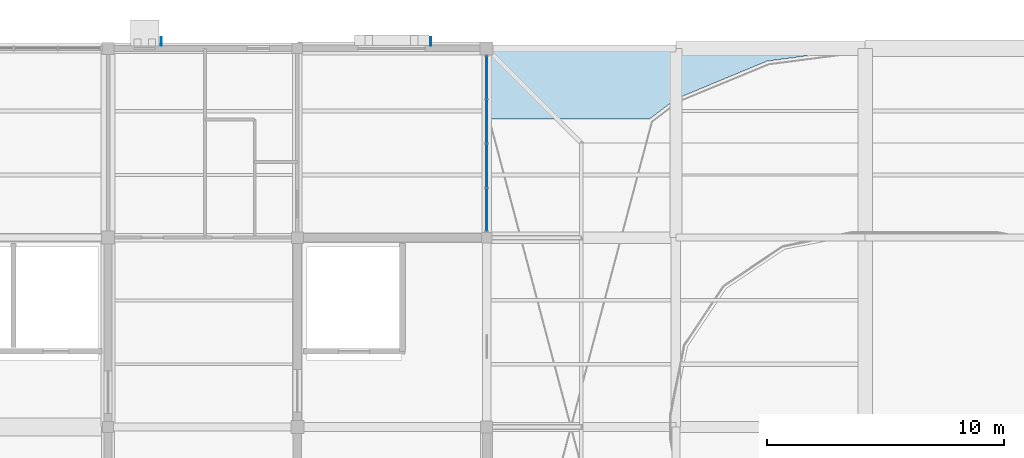
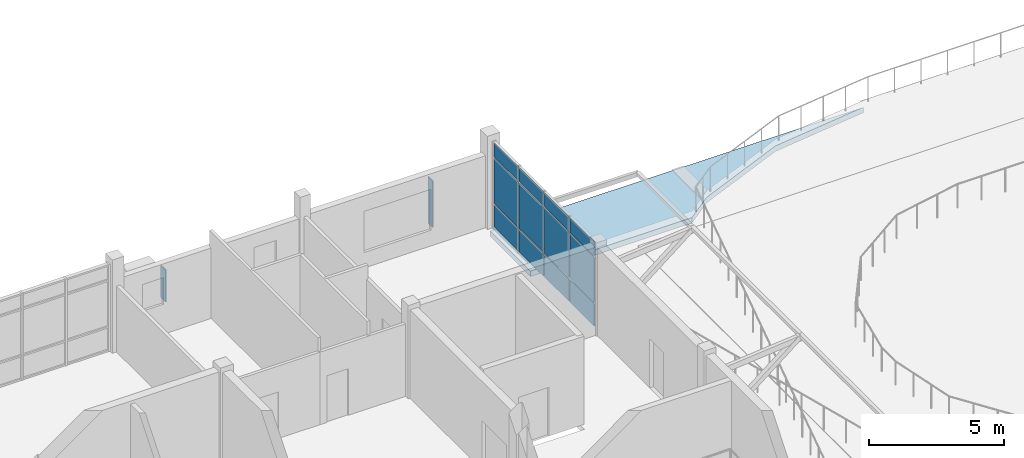
# One storey, part 37 of 44: 14 plates, 1 slab, 1 element without a shape of its own.
"""IFC4 building model written with IfcOpenShell, lengths in metres."""

from ifc_helpers import new_model, si_unit, direction, frame, origin, origin_2d, place, context, subcontext, project, spatial, polyline, rectangle, outline, extrude, material, layer, layer_set, type_object, element, aggregate, save


model = new_model("IFC4")

# Units and contexts
model_context = context("Model", 3, precision=1e-05, world=origin(), true_north=direction((0.0, 1.0)))
body_context = subcontext(model_context, "Body", "Model", "MODEL_VIEW")
ifc_project = project(units=[si_unit("LENGTHUNIT", "METRE"), si_unit("AREAUNIT", "SQUARE_METRE"), si_unit("VOLUMEUNIT", "CUBIC_METRE"), si_unit("PLANEANGLEUNIT", "RADIAN"), si_unit("MASSUNIT", "GRAM", prefix="KILO")], contexts=[model_context])

# Site, building, storey
site_placement = place(None, origin())
site = spatial("IfcSite", under=ifc_project, at=site_placement, CompositionType="ELEMENT")
building_placement = place(site_placement, origin())
building = spatial("IfcBuilding", under=site, at=building_placement, Name="Tenunan Teduh Sports Hall", CompositionType="ELEMENT")
storey_placement = place(building_placement, frame((0.0, 0.0, 19.199951171875)))
storey = spatial("IfcBuildingStorey", under=building, at=storey_placement, Name="L04", CompositionType="ELEMENT", Elevation=19.199951171875)

# Curtain wall, plates
ifc_material_1 = material(Name="Anodised aluminium", Category="aluminium")
curtain_wall_type = type_object("IfcCurtainWallType", Name="CW-UNIT-2", PredefinedType="NOTDEFINED", material=ifc_material_1)
curtain_wall_placement = place(storey_placement, origin())
curtain_wall = element("IfcCurtainWall", 1, at=curtain_wall_placement, inside=storey, type_object=curtain_wall_type, Name="CW-CWM-150-L04-231", PredefinedType="NOTDEFINED")
ifc_material_2 = material(Name="Solar-control laminated glazing", Category="glass")
ifc_layer_1 = layer(ifc_material_2, 0.031982421875)
ifc_layer_set_1 = layer_set([ifc_layer_1], Name="Solar-control laminated glazing")
plate_type_1 = type_object("IfcPlateType", Name="CWP-GLZ-32", PredefinedType="CURTAIN_PANEL", material=ifc_layer_set_1)
plate_1_placement = place(storey_placement, frame((38.0, 111.177490234375, 1.130126953125), z_axis=(0.0, 0.0, 1.0), x_axis=(0.0, 1.0, 0.0)))
plate_1 = element("IfcPlate", 2, at=plate_1_placement, type_object=plate_type_1, Name="CW-02 panel 1.2", PredefinedType="CURTAIN_PANEL", context=body_context, shape_type="SweptSolid", body=[
    extrude(rectangle(XDim=1.784912109375, YDim=0.031982421875, at=origin_2d()), origin(), (0.0, 0.0, 1.0), 2.0400390625),
])
plate_2_placement = place(storey_placement, frame((38.0, 111.177490234375, 3.230224609375), z_axis=(0.0, 0.0, 1.0), x_axis=(0.0, 1.0, 0.0)))
plate_2 = element("IfcPlate", 3, at=plate_2_placement, type_object=plate_type_1, Name="CW-02 panel 1.3", PredefinedType="CURTAIN_PANEL", context=body_context, shape_type="SweptSolid", body=[
    extrude(rectangle(XDim=1.784912109375, YDim=0.031982421875, at=origin_2d()), origin(), (0.0, 0.0, 1.0), 0.6298828125),
])
plate_3_placement = place(storey_placement, frame((38.0, 113.03759765625, 1.130126953125), z_axis=(0.0, 0.0, 1.0), x_axis=(0.0, 1.0, 0.0)))
plate_3 = element("IfcPlate", 4, at=plate_3_placement, type_object=plate_type_1, Name="CW-02 panel 2.2", PredefinedType="CURTAIN_PANEL", context=body_context, shape_type="SweptSolid", body=[
    extrude(rectangle(XDim=1.81494140625, YDim=0.031982421875, at=origin_2d()), origin(), (0.0, 0.0, 1.0), 2.0400390625),
])
plate_4_placement = place(storey_placement, frame((38.0, 113.03759765625, 3.230224609375), z_axis=(0.0, 0.0, 1.0), x_axis=(0.0, 1.0, 0.0)))
plate_4 = element("IfcPlate", 5, at=plate_4_placement, type_object=plate_type_1, Name="CW-02 panel 2.3", PredefinedType="CURTAIN_PANEL", context=body_context, shape_type="SweptSolid", body=[
    extrude(rectangle(XDim=1.81494140625, YDim=0.031982421875, at=origin_2d()), origin(), (0.0, 0.0, 1.0), 0.6298828125),
])
plate_5_placement = place(storey_placement, frame((38.0, 114.91259765625, 1.130126953125), z_axis=(0.0, 0.0, 1.0), x_axis=(0.0, 1.0, 0.0)))
plate_5 = element("IfcPlate", 6, at=plate_5_placement, type_object=plate_type_1, Name="CW-02 panel 3.2", PredefinedType="CURTAIN_PANEL", context=body_context, shape_type="SweptSolid", body=[
    extrude(rectangle(XDim=1.81494140625, YDim=0.031982421875, at=origin_2d()), origin(), (0.0, 0.0, 1.0), 2.0400390625),
])
plate_6_placement = place(storey_placement, frame((38.0, 114.91259765625, 3.230224609375), z_axis=(0.0, 0.0, 1.0), x_axis=(0.0, 1.0, 0.0)))
plate_6 = element("IfcPlate", 7, at=plate_6_placement, type_object=plate_type_1, Name="CW-02 panel 3.3", PredefinedType="CURTAIN_PANEL", context=body_context, shape_type="SweptSolid", body=[
    extrude(rectangle(XDim=1.81494140625, YDim=0.031982421875, at=origin_2d()), origin(), (0.0, 0.0, 1.0), 0.6298828125),
])
plate_7_placement = place(storey_placement, frame((38.0, 116.7724609375, 1.130126953125), z_axis=(0.0, 0.0, 1.0), x_axis=(0.0, 1.0, 0.0)))
plate_7 = element("IfcPlate", 8, at=plate_7_placement, type_object=plate_type_1, Name="CW-02 panel 4.2", PredefinedType="CURTAIN_PANEL", context=body_context, shape_type="SweptSolid", body=[
    extrude(rectangle(XDim=1.784912109375, YDim=0.031982421875, at=origin_2d()), origin(), (0.0, 0.0, 1.0), 2.0400390625),
])
plate_8_placement = place(storey_placement, frame((38.0, 116.7724609375, 3.230224609375), z_axis=(0.0, 0.0, 1.0), x_axis=(0.0, 1.0, 0.0)))
plate_8 = element("IfcPlate", 9, at=plate_8_placement, type_object=plate_type_1, Name="CW-02 panel 4.3", PredefinedType="CURTAIN_PANEL", context=body_context, shape_type="SweptSolid", body=[
    extrude(rectangle(XDim=1.784912109375, YDim=0.031982421875, at=origin_2d()), origin(), (0.0, 0.0, 1.0), 0.6298828125),
])
ifc_material_3 = material(Name="Insulated aluminium spandrel panel", Category="aluminium")
ifc_layer_2 = layer(ifc_material_3, 0.044921875)
ifc_layer_set_2 = layer_set([ifc_layer_2], Name="Insulated aluminium spandrel panel")
plate_type_2 = type_object("IfcPlateType", Name="CWP-SPN-45", PredefinedType="CURTAIN_PANEL", material=ifc_layer_set_2)
plate_9_placement = place(storey_placement, frame((38.0, 111.177490234375, 0.06005859375), z_axis=(0.0, 0.0, 1.0), x_axis=(0.0, 1.0, 0.0)))
plate_9 = element("IfcPlate", 10, at=plate_9_placement, type_object=plate_type_2, Name="CW-02 panel 1.1", PredefinedType="CURTAIN_PANEL", context=body_context, shape_type="SweptSolid", body=[
    extrude(rectangle(XDim=1.784912109375, YDim=0.031982421875, at=origin_2d()), origin(), (0.0, 0.0, 1.0), 1.010009765625),
])
plate_10_placement = place(storey_placement, frame((38.0, 113.03759765625, 0.06005859375), z_axis=(0.0, 0.0, 1.0), x_axis=(0.0, 1.0, 0.0)))
plate_10 = element("IfcPlate", 11, at=plate_10_placement, type_object=plate_type_2, Name="CW-02 panel 2.1", PredefinedType="CURTAIN_PANEL", context=body_context, shape_type="SweptSolid", body=[
    extrude(rectangle(XDim=1.81494140625, YDim=0.031982421875, at=origin_2d()), origin(), (0.0, 0.0, 1.0), 1.010009765625),
])
plate_11_placement = place(storey_placement, frame((38.0, 114.91259765625, 0.06005859375), z_axis=(0.0, 0.0, 1.0), x_axis=(0.0, 1.0, 0.0)))
plate_11 = element("IfcPlate", 12, at=plate_11_placement, type_object=plate_type_2, Name="CW-02 panel 3.1", PredefinedType="CURTAIN_PANEL", context=body_context, shape_type="SweptSolid", body=[
    extrude(rectangle(XDim=1.81494140625, YDim=0.031982421875, at=origin_2d()), origin(), (0.0, 0.0, 1.0), 1.010009765625),
])
plate_12_placement = place(storey_placement, frame((38.0, 116.7724609375, 0.06005859375), z_axis=(0.0, 0.0, 1.0), x_axis=(0.0, 1.0, 0.0)))
plate_12 = element("IfcPlate", 13, at=plate_12_placement, type_object=plate_type_2, Name="CW-02 panel 4.1", PredefinedType="CURTAIN_PANEL", context=body_context, shape_type="SweptSolid", body=[
    extrude(rectangle(XDim=1.784912109375, YDim=0.031982421875, at=origin_2d()), origin(), (0.0, 0.0, 1.0), 1.010009765625),
])
aggregate(curtain_wall, [plate_9, plate_1, plate_2, plate_10, plate_3, plate_4, plate_11, plate_5, plate_6, plate_12, plate_7, plate_8])

# Plates
ifc_material_4 = material(Name="Anodised aluminium", Category="aluminium")
ifc_layer_3 = layer(ifc_material_4, 1.89990234375)
ifc_layer_set_3 = layer_set([ifc_layer_3], Name="Anodised aluminium")
plate_type_3 = type_object("IfcPlateType", Name="PLT-FIN-1", PredefinedType="SHEET", material=ifc_layer_set_3)
plate_13_placement = place(storey_placement, frame((24.239990234375, 118.284912109375, 1.22998046875), z_axis=(0.0, 0.0, 1.0), x_axis=(1.0, 0.0, 0.0)))
element("IfcPlate", 14, at=plate_13_placement, inside=storey, type_object=plate_type_3, Name="PLT-FIN-L04-068", PredefinedType="SHEET", context=body_context, shape_type="SweptSolid", body=[
    extrude(rectangle(XDim=0.0400390625, YDim=0.360107421875, at=origin_2d()), origin(), (0.0, 0.0, 1.0), 1.43994140625),
])
plate_14_placement = place(storey_placement, frame((35.64501953125, 118.300048828125, 0.580078125), z_axis=(0.0, 0.0, 1.0), x_axis=(1.0, 0.0, 0.0)))
element("IfcPlate", 15, at=plate_14_placement, inside=storey, type_object=plate_type_3, Name="PLT-FIN-L04-069", PredefinedType="SHEET", context=body_context, shape_type="SweptSolid", body=[
    extrude(rectangle(XDim=0.0400390625, YDim=0.360107421875, at=origin_2d()), origin(), (0.0, 0.0, 1.0), 2.090087890625),
])

# Slab
ifc_material_5 = material(Name="Concrete C40/50", Category="concrete")
ifc_layer_4 = layer(ifc_material_5, 0.25)
ifc_layer_set_4 = layer_set([ifc_layer_4], Name="Concrete C40/50")
slab_type = type_object("IfcSlabType", Name="SLB-ROOF-250", PredefinedType="ROOF", material=ifc_layer_set_4)
slab_placement = place(storey_placement, frame((0.0, 0.0, -0.570068359375)))
element("IfcSlab", 16, at=slab_placement, inside=storey, type_object=slab_type, Name="Oval Track Infield Acoustic Roof Deck 2", PredefinedType="ROOF", context=body_context, shape_type="SweptSolid", body=[
    extrude(outline(polyline([(53.923095703125, 118.0), (49.85791015625, 117.465087890625), (49.85693359375, 117.465087890625), (49.85595703125, 117.465087890625), (49.85498046875, 117.464111328125), (45.99609375, 115.864990234375), (45.9951171875, 115.864990234375), (45.9951171875, 115.864013671875), (45.993896484375, 115.864013671875), (44.881103515625, 115.010009765625), (38.0, 115.010009765625), (38.0, 118.0), (53.923095703125, 118.0)])), origin(), (0.0, 0.0, 1.0), 0.25),
])

save(model, "model.ifc")
